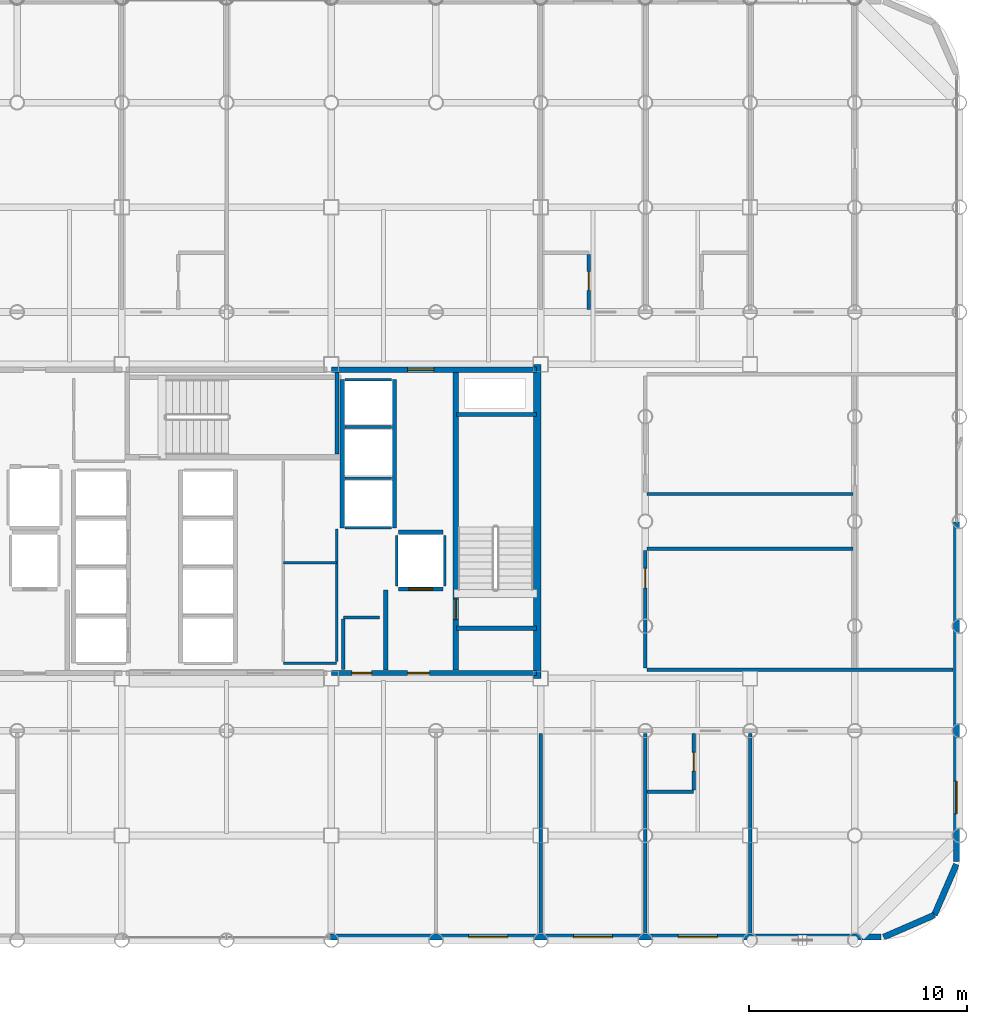
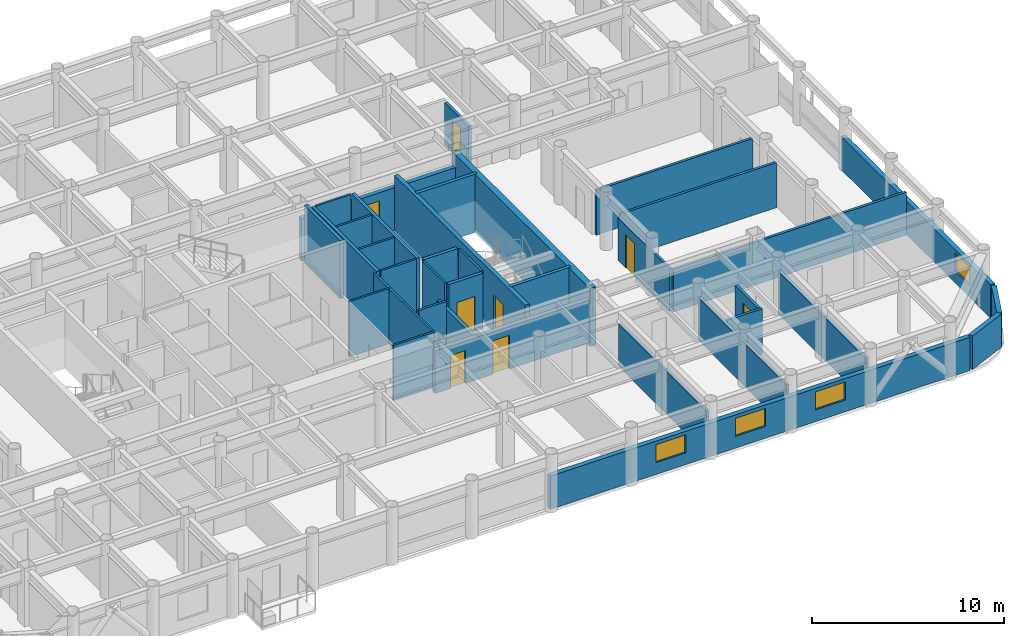
# One storey, part 19 of 22: 37 walls, 8 doors, 4 windows, 12 openings.
"""IFC4 building model written with IfcOpenShell, lengths in metres."""

from ifc_helpers import new_model, si_unit, direction, frame, frame_2d, origin, place, context, subcontext, project, spatial, rectangle, extrude, material, layer, layer_set, type_object, element, fill, save


model = new_model("IFC4")

# Units and contexts
model_context = context("Model", 3, precision=1e-05, world=origin(), true_north=direction((0.0, 1.0)))
body_context = subcontext(model_context, "Body", "Model", "MODEL_VIEW")
ifc_project = project(units=[si_unit("LENGTHUNIT", "METRE"), si_unit("AREAUNIT", "SQUARE_METRE"), si_unit("VOLUMEUNIT", "CUBIC_METRE"), si_unit("PLANEANGLEUNIT", "RADIAN"), si_unit("MASSUNIT", "GRAM", prefix="KILO")], contexts=[model_context])

# Site, building, storey
site_placement = place(None, origin())
site = spatial("IfcSite", under=ifc_project, at=site_placement, CompositionType="ELEMENT")
building_placement = place(site_placement, origin())
building = spatial("IfcBuilding", under=site, at=building_placement, Name="Kallvorn Hotel Tower", CompositionType="ELEMENT")
storey_placement = place(building_placement, frame((0.0, 0.0, 102.60009765625)))
storey = spatial("IfcBuildingStorey", under=building, at=storey_placement, Name="L24", CompositionType="ELEMENT", Elevation=102.60009765625)

# Walls
ifc_material_1 = material(Name="Concrete C50/60", Category="concrete")
ifc_layer_1 = layer(ifc_material_1, 0.35009765625)
ifc_layer_set_1 = layer_set([ifc_layer_1], Name="WL_CORE_350")
wall_type_1 = type_object("IfcWallType", Name="WL_CORE_350", PredefinedType="SHEAR", material=ifc_layer_set_1)
wall_1_placement = place(storey_placement, frame((14.239990234375, -7.199951171875, -0.18017578125), z_axis=(0.0, 0.0, 1.0), x_axis=(0.0, 1.0, 0.0)))
element("IfcWall", 1, at=wall_1_placement, inside=storey, type_object=wall_type_1, Name="L24 Core East Shear Wall", PredefinedType="SHEAR", context=body_context, shape_type="SweptSolid", body=[
    extrude(rectangle(XDim=14.39990234375, YDim=0.35009765625, at=frame_2d((7.199951171875, 0.0))), origin(), (0.0, 0.0, 1.0), 3.7001953125),
])
ifc_material_2 = material(Name="Fire-rated double-layer acoustic gypsum drywall EI 60")
ifc_layer_2 = layer(ifc_material_2, 0.159912109375)
ifc_layer_set_2 = layer_set([ifc_layer_2], Name="WL_DEMISE_160")
wall_type_2 = type_object("IfcWallType", Name="WL_DEMISE_160", PredefinedType="PARTITIONING", material=ifc_layer_set_2)
wall_2_placement = place(storey_placement, frame((19.280029296875, -12.39501953125, 0.0), z_axis=(0.0, 0.0, 1.0), x_axis=(1.0, 0.0, 0.0)))
element("IfcWall", 2, at=wall_2_placement, inside=storey, type_object=wall_type_2, Name="L24 Suite 2404 Deluxe King Room Partition", PredefinedType="PARTITIONING", context=body_context, shape_type="SweptSolid", body=[
    extrude(rectangle(XDim=2.1298828125, YDim=0.159912109375, at=frame_2d((1.06494140625, 0.0))), origin(), (0.0, 0.0, 1.0), 2.869873046875),
])

# Wall, opening, door
wall_3_placement = place(storey_placement, frame((16.610107421875, 9.719970703125, 0.0), z_axis=(0.0, 0.0, 1.0), x_axis=(0.0, 1.0, 0.0)))
wall_3 = element("IfcWall", 3, at=wall_3_placement, inside=storey, type_object=wall_type_2, Name="L24 Suite 2406 Standard King Room Partition", PredefinedType="PARTITIONING", context=body_context, shape_type="SweptSolid", body=[
    extrude(rectangle(XDim=2.51513671875, YDim=0.159912109375, at=frame_2d((1.257568359375, 0.0))), origin(), (0.0, 0.0, 1.0), 2.719970703125),
])
opening_1_placement = place(wall_3_placement, frame((0.8701171875, 0.0, 0.0)))
opening_1 = element("IfcOpeningElement", 4, at=opening_1_placement, cuts=wall_3, Name="Opening BD-I", PredefinedType="OPENING", context=body_context, shape_type="SweptSolid", body=[
    extrude(rectangle(XDim=0.860107421875, YDim=2.10009765625, at=frame_2d((0.43017578125, 1.050048828125))), frame((0.0, 0.094970703125, 0.0), z_axis=(0.0, -1.0, 0.0), x_axis=(1.0, 0.0, 0.0)), (0.0, 0.0, 1.0), 0.18994140625),
])
ifc_material_3 = material(Name="Solid-core walnut veneer fire-rated timber door leaf", Category="wood")
door_type_1 = type_object("IfcDoorType", Name="DR_BATH_860x2100", OperationType="NOTDEFINED", PredefinedType="DOOR", material=ifc_material_3)
door_1_placement = place(opening_1_placement, origin())
door_1 = element("IfcDoor", 5, at=door_1_placement, inside=storey, type_object=door_type_1, Name="L24 Suite 2406 En-Suite Bathroom Door", OperationType="SINGLE_SWING_RIGHT", OverallHeight=2.10009765625, OverallWidth=0.860107421875, PredefinedType="DOOR", context=body_context, shape_type="SweptSolid", body=[
    extrude(rectangle(XDim=0.860107421875, YDim=2.10009765625, at=frame_2d((0.43017578125, 1.050048828125))), frame((0.0, 0.02490234375, 0.0), z_axis=(0.0, -1.0, 0.0), x_axis=(1.0, 0.0, 0.0)), (0.0, 0.0, 1.0), 0.050048828125),
])
fill(opening_1, door_1)

# Wall
wall_4_placement = place(storey_placement, frame((19.199951171875, -18.909912109375, 0.0), z_axis=(0.0, 0.0, 1.0), x_axis=(0.0, 1.0, 0.0)))
element("IfcWall", 6, at=wall_4_placement, inside=storey, type_object=wall_type_2, Name="L24 Suite 2404 Deluxe King Room Partition", PredefinedType="PARTITIONING", context=body_context, shape_type="SweptSolid", body=[
    extrude(rectangle(XDim=9.18994140625, YDim=0.159912109375, at=frame_2d((4.594970703125, 0.0))), origin(), (0.0, 0.0, 1.0), 2.719970703125),
])

# Wall, opening, door
wall_5_placement = place(storey_placement, frame((21.409912109375, -12.31005859375, 0.0), z_axis=(0.0, 0.0, 1.0), x_axis=(0.0, 1.0, 0.0)))
wall_5 = element("IfcWall", 7, at=wall_5_placement, inside=storey, type_object=wall_type_2, Name="L24 Suite 2404 Deluxe King Room Partition", PredefinedType="PARTITIONING", context=body_context, shape_type="SweptSolid", body=[
    extrude(rectangle(XDim=2.590087890625, YDim=0.159912109375, at=frame_2d((1.294921875, 0.0))), origin(), (0.0, 0.0, 1.0), 2.719970703125),
])
opening_2_placement = place(wall_5_placement, frame((0.860107421875, 0.0, 0.0)))
opening_2 = element("IfcOpeningElement", 8, at=opening_2_placement, cuts=wall_5, Name="Opening BD-I", PredefinedType="OPENING", context=body_context, shape_type="SweptSolid", body=[
    extrude(rectangle(XDim=0.860107421875, YDim=2.10009765625, at=frame_2d((0.43017578125, 1.050048828125))), frame((0.0, 0.094970703125, 0.0), z_axis=(0.0, -1.0, 0.0), x_axis=(1.0, 0.0, 0.0)), (0.0, 0.0, 1.0), 0.18994140625),
])
door_2_placement = place(opening_2_placement, origin())
door_2 = element("IfcDoor", 9, at=door_2_placement, inside=storey, type_object=door_type_1, Name="L24 Suite 2404 En-Suite Bathroom Door", OperationType="SINGLE_SWING_LEFT", OverallHeight=2.10009765625, OverallWidth=0.860107421875, PredefinedType="DOOR", context=body_context, shape_type="SweptSolid", body=[
    extrude(rectangle(XDim=0.860107421875, YDim=2.10009765625, at=frame_2d((0.43017578125, 1.050048828125))), frame((0.0, 0.02490234375, 0.0), z_axis=(0.0, -1.0, 0.0), x_axis=(1.0, 0.0, 0.0)), (0.0, 0.0, 1.0), 0.050048828125),
])
fill(opening_2, door_2)

# Walls
wall_6_placement = place(storey_placement, frame((24.0, -18.909912109375, 0.0), z_axis=(0.0, 0.0, 1.0), x_axis=(0.0, 1.0, 0.0)))
element("IfcWall", 10, at=wall_6_placement, inside=storey, type_object=wall_type_2, Name="L24 Suite 2404 Deluxe King Room Partition", PredefinedType="PARTITIONING", context=body_context, shape_type="SweptSolid", body=[
    extrude(rectangle(XDim=9.18994140625, YDim=0.159912109375, at=frame_2d((4.594970703125, 0.0))), origin(), (0.0, 0.0, 1.0), 2.719970703125),
])
ifc_material_4 = material(Name="Precast basalt-clad insulated concrete wall C40/50", Category="masonry")
ifc_layer_3 = layer(ifc_material_4, 0.280029296875)
ifc_layer_set_3 = layer_set([ifc_layer_3], Name="WL_EXT_LOGGIA_280")
wall_type_3 = type_object("IfcWallType", Name="WL_EXT_LOGGIA_280", PredefinedType="SOLIDWALL", material=ifc_layer_set_3)
wall_7_placement = place(storey_placement, frame((30.120849609375, -19.057861328125, 0.0), z_axis=(0.0, 0.0, 1.0), x_axis=(0.917060872934, 0.398747232384, 0.0)))
element("IfcWall", 11, at=wall_7_placement, inside=storey, type_object=wall_type_3, Name="L24 Rounded Corner Exterior Wall SE1", PredefinedType="SOLIDWALL", context=body_context, shape_type="SweptSolid", body=[
    extrude(rectangle(XDim=2.5361328125, YDim=0.280029296875, at=frame_2d((1.26806640625, 0.0))), origin(), (0.0, 0.0, 1.0), 2.119873046875),
])
wall_8_placement = place(storey_placement, frame((32.446533203125, -18.046630859375, 0.0), z_axis=(0.0, 0.0, 1.0), x_axis=(0.398792985289, 0.917040977756, 0.0)))
element("IfcWall", 12, at=wall_8_placement, inside=storey, type_object=wall_type_3, Name="L24 Rounded Corner Exterior Wall SE2", PredefinedType="SOLIDWALL", context=body_context, shape_type="SweptSolid", body=[
    extrude(rectangle(XDim=2.536376953125, YDim=0.280029296875, at=frame_2d((1.26806640625, 0.0))), origin(), (0.0, 0.0, 1.0), 2.119873046875),
])

# Wall, openings, windows
wall_9_placement = place(storey_placement, frame((4.75, -19.06005859375, 0.0), z_axis=(0.0, 0.0, 1.0), x_axis=(1.0, 0.0, 0.0)))
wall_9 = element("IfcWall", 13, at=wall_9_placement, inside=storey, type_object=wall_type_3, Name="L24 Exterior Envelope Wall EW-L24-SE", PredefinedType="SOLIDWALL", context=body_context, shape_type="SweptSolid", body=[
    extrude(rectangle(XDim=25.25, YDim=0.280029296875, at=frame_2d((12.625, 0.0))), origin(), (0.0, 0.0, 1.0), 2.119873046875),
])
opening_3_placement = place(wall_9_placement, frame((6.35009765625, 0.0, 0.75)))
opening_3 = element("IfcOpeningElement", 14, at=opening_3_placement, cuts=wall_9, Name="Opening W04A", PredefinedType="OPENING", context=body_context, shape_type="SweptSolid", body=[
    extrude(rectangle(XDim=1.800048828125, YDim=1.14990234375, at=frame_2d((0.89990234375, 0.574951171875))), frame((0.0, 0.155029296875, 0.0), z_axis=(0.0, -1.0, 0.0), x_axis=(1.0, 0.0, 0.0)), (0.0, 0.0, 1.0), 0.31005859375),
])
opening_4_placement = place(wall_9_placement, frame((11.14990234375, 0.0, 0.75)))
opening_4 = element("IfcOpeningElement", 15, at=opening_4_placement, cuts=wall_9, Name="Opening W04A", PredefinedType="OPENING", context=body_context, shape_type="SweptSolid", body=[
    extrude(rectangle(XDim=1.800048828125, YDim=1.14990234375, at=frame_2d((0.89990234375, 0.574951171875))), frame((0.0, 0.155029296875, 0.0), z_axis=(0.0, -1.0, 0.0), x_axis=(1.0, 0.0, 0.0)), (0.0, 0.0, 1.0), 0.31005859375),
])
opening_5_placement = place(wall_9_placement, frame((15.949951171875, 0.0, 0.75)))
opening_5 = element("IfcOpeningElement", 16, at=opening_5_placement, cuts=wall_9, Name="Opening W04A", PredefinedType="OPENING", context=body_context, shape_type="SweptSolid", body=[
    extrude(rectangle(XDim=1.800048828125, YDim=1.14990234375, at=frame_2d((0.89990234375, 0.574951171875))), frame((0.0, 0.155029296875, 0.0), z_axis=(0.0, -1.0, 0.0), x_axis=(1.0, 0.0, 0.0)), (0.0, 0.0, 1.0), 0.31005859375),
])
ifc_material_5 = material(Name="Double-glazed low-e solar-control dark glass", Category="glass")
window_type_1 = type_object("IfcWindowType", Name="WN_HTL_1800x1150", PartitioningType="SINGLE_PANEL", PredefinedType="WINDOW", material=ifc_material_5)
window_1_placement = place(opening_3_placement, origin())
window_1 = element("IfcWindow", 17, at=window_1_placement, inside=storey, type_object=window_type_1, Name="L24 Guestroom Exterior Window 05", OverallHeight=1.14990234375, OverallWidth=1.800048828125, PartitioningType="SINGLE_PANEL", PredefinedType="WINDOW", context=body_context, shape_type="SweptSolid", body=[
    extrude(rectangle(XDim=1.800048828125, YDim=1.14990234375, at=frame_2d((0.89990234375, 0.574951171875))), frame((0.0, 0.030029296875, 0.0), z_axis=(0.0, -1.0, 0.0), x_axis=(1.0, 0.0, 0.0)), (0.0, 0.0, 1.0), 0.06005859375),
])
fill(opening_3, window_1)
window_2_placement = place(opening_4_placement, origin())
window_2 = element("IfcWindow", 18, at=window_2_placement, inside=storey, type_object=window_type_1, Name="L24 Guestroom Exterior Window 06", OverallHeight=1.14990234375, OverallWidth=1.800048828125, PartitioningType="SINGLE_PANEL", PredefinedType="WINDOW", context=body_context, shape_type="SweptSolid", body=[
    extrude(rectangle(XDim=1.800048828125, YDim=1.14990234375, at=frame_2d((0.89990234375, 0.574951171875))), frame((0.0, 0.030029296875, 0.0), z_axis=(0.0, -1.0, 0.0), x_axis=(1.0, 0.0, 0.0)), (0.0, 0.0, 1.0), 0.06005859375),
])
fill(opening_4, window_2)
window_3_placement = place(opening_5_placement, origin())
window_3 = element("IfcWindow", 19, at=window_3_placement, inside=storey, type_object=window_type_1, Name="L24 Guestroom Exterior Window 07", OverallHeight=1.14990234375, OverallWidth=1.800048828125, PartitioningType="SINGLE_PANEL", PredefinedType="WINDOW", context=body_context, shape_type="SweptSolid", body=[
    extrude(rectangle(XDim=1.800048828125, YDim=1.14990234375, at=frame_2d((0.89990234375, 0.574951171875))), frame((0.0, 0.030029296875, 0.0), z_axis=(0.0, -1.0, 0.0), x_axis=(1.0, 0.0, 0.0)), (0.0, 0.0, 1.0), 0.06005859375),
])
fill(opening_5, window_3)

# Wall, opening, window
wall_10_placement = place(storey_placement, frame((33.4599609375, -15.60009765625, 0.0), z_axis=(0.0, 0.0, 1.0), x_axis=(0.0, 1.0, 0.0)))
wall_10 = element("IfcWall", 20, at=wall_10_placement, inside=storey, type_object=wall_type_3, Name="L24 Exterior Envelope Wall EW-L24-ES", PredefinedType="SOLIDWALL", context=body_context, shape_type="SweptSolid", body=[
    extrude(rectangle(XDim=15.580078125, YDim=0.280029296875, at=frame_2d((7.7900390625, 0.0))), origin(), (0.0, 0.0, 1.0), 2.119873046875),
])
opening_6_placement = place(wall_10_placement, frame((2.18994140625, 0.0, 0.75)))
opening_6 = element("IfcOpeningElement", 21, at=opening_6_placement, cuts=wall_10, Name="Opening W05A", PredefinedType="OPENING", context=body_context, shape_type="SweptSolid", body=[
    extrude(rectangle(XDim=1.5, YDim=1.14990234375, at=frame_2d((0.75, 0.574951171875))), frame((0.0, 0.155029296875, 0.0), z_axis=(0.0, -1.0, 0.0), x_axis=(1.0, 0.0, 0.0)), (0.0, 0.0, 1.0), 0.31005859375),
])
ifc_material_6 = material(Name="Double-glazed low-e solar-control dark glass", Category="glass")
window_type_2 = type_object("IfcWindowType", Name="WN_HTL_1500x1150", PartitioningType="SINGLE_PANEL", PredefinedType="WINDOW", material=ifc_material_6)
window_4_placement = place(opening_6_placement, origin())
window_4 = element("IfcWindow", 22, at=window_4_placement, inside=storey, type_object=window_type_2, Name="L24 Flank Wing Window 02", OverallHeight=1.14990234375, OverallWidth=1.5, PartitioningType="SINGLE_PANEL", PredefinedType="WINDOW", context=body_context, shape_type="SweptSolid", body=[
    extrude(rectangle(XDim=1.5, YDim=1.14990234375, at=frame_2d((0.75, 0.574951171875))), frame((0.0, 0.030029296875, 0.0), z_axis=(0.0, -1.0, 0.0), x_axis=(1.0, 0.0, 0.0)), (0.0, 0.0, 1.0), 0.06005859375),
])
fill(opening_6, window_4)

# Walls
ifc_material_7 = material(Name="Concrete C40/50", Category="concrete")
ifc_layer_4 = layer(ifc_material_7, 0.219970703125)
ifc_layer_set_4 = layer_set([ifc_layer_4], Name="WL_FFL_220")
wall_type_4 = type_object("IfcWallType", Name="WL_FFL_220", PredefinedType="SOLIDWALL", material=ifc_layer_set_4)
wall_11_placement = place(storey_placement, frame((7.300048828125, -6.820068359375, 0.0), z_axis=(0.0, 0.0, 1.0), x_axis=(0.0, 1.0, 0.0)))
element("IfcWall", 23, at=wall_11_placement, inside=storey, type_object=wall_type_4, Name="L24 Firefighting Lobby East Divider Wall", PredefinedType="SOLIDWALL", context=body_context, shape_type="SweptSolid", body=[
    extrude(rectangle(XDim=3.670166015625, YDim=0.219970703125, at=frame_2d((1.8349609375, 0.0))), origin(), (0.0, 0.0, 1.0), 2.719970703125),
])
ifc_material_8 = material(Name="Concrete C40/50", Category="concrete")
ifc_layer_5 = layer(ifc_material_8, 0.199951171875)
ifc_layer_set_5 = layer_set([ifc_layer_5], Name="WL_HOIST_200")
wall_type_5 = type_object("IfcWallType", Name="WL_HOIST_200", PredefinedType="SOLIDWALL", material=ifc_layer_set_5)
for number, where, z_axis, x_axis, name in (
    (24, (10.550048828125, -4.89990234375, -0.18017578125), (0.0, 0.0, 1.0), (1.0, 0.0, 0.0), "L24 Stair ST2 South Wall"),
    (25, (10.550048828125, 4.89990234375, -0.18017578125), (0.0, 0.0, 1.0), (1.0, 0.0, 0.0), "L24 Stair ST2 North Wall"),
):
    element("IfcWall", number, at=place(storey_placement, frame(where, z_axis=z_axis, x_axis=x_axis)), inside=storey, type_object=wall_type_5, Name=name, PredefinedType="SOLIDWALL", context=body_context, shape_type="SweptSolid", body=[
        extrude(rectangle(XDim=3.64990234375, YDim=0.199951171875, at=frame_2d((1.824951171875, 0.0))), origin(), (0.0, 0.0, 1.0), 3.7001953125),
    ])
wall_12_placement = place(storey_placement, frame((5.06005859375, 3.080078125, -0.18017578125), z_axis=(0.0, 0.0, 1.0), x_axis=(0.0, 1.0, 0.0)))
element("IfcWall", 26, at=wall_12_placement, inside=storey, type_object=wall_type_5, Name="L24 Stair ST3 East Wall", PredefinedType="SOLIDWALL", context=body_context, shape_type="SweptSolid", body=[
    extrude(rectangle(XDim=3.739990234375, YDim=0.199951171875, at=frame_2d((1.8701171875, 0.0))), origin(), (0.0, 0.0, 1.0), 3.7001953125),
])
for number, where, z_axis, x_axis, name in (
    (27, (7.699951171875, -0.300048828125, 0.0), (0.0, 0.0, 1.0), (0.0, 1.0, 0.0), "L24 Lift Bank OBS Landing Wall"),
    (28, (5.300048828125, -0.300048828125, 0.0), (0.0, 0.0, 1.0), (0.0, 1.0, 0.0), "L24 Lift Bank OBS Rear Shaft Wall"),
):
    element("IfcWall", number, at=place(storey_placement, frame(where, z_axis=z_axis, x_axis=x_axis)), inside=storey, type_object=wall_type_5, Name=name, PredefinedType="SOLIDWALL", context=body_context, shape_type="SweptSolid", body=[
        extrude(rectangle(XDim=6.800048828125, YDim=0.199951171875, at=frame_2d((3.39990234375, 0.0))), origin(), (0.0, 0.0, 1.0), 3.52001953125),
    ])

# Wall, opening, door
wall_13_placement = place(storey_placement, frame((7.8798828125, -3.10009765625, 0.0), z_axis=(0.0, 0.0, 1.0), x_axis=(1.0, 0.0, 0.0)))
wall_13 = element("IfcWall", 29, at=wall_13_placement, inside=storey, type_object=wall_type_5, Name="L24 FL-2 Landing Wall", PredefinedType="SOLIDWALL", context=body_context, shape_type="SweptSolid", body=[
    extrude(rectangle(XDim=2.0400390625, YDim=0.199951171875, at=frame_2d((1.02001953125, 0.0))), origin(), (0.0, 0.0, 1.0), 3.52001953125),
])
opening_7_placement = place(wall_13_placement, frame((0.469970703125, 0.0, 0.0)))
opening_7 = element("IfcOpeningElement", 30, at=opening_7_placement, cuts=wall_13, Name="Opening LD-FL-2", PredefinedType="OPENING", context=body_context, shape_type="SweptSolid", body=[
    extrude(rectangle(XDim=1.10009765625, YDim=2.199951171875, at=frame_2d((0.550048828125, 1.10009765625))), frame((0.0, 0.114990234375, 0.0), z_axis=(0.0, -1.0, 0.0), x_axis=(1.0, 0.0, 0.0)), (0.0, 0.0, 1.0), 0.22998046875),
])
ifc_material_9 = material(Name="Brushed stainless-steel automatic sliding lift landing door", Category="steel")
door_type_2 = type_object("IfcDoorType", Name="LD_PASS_1100x2200", OperationType="SLIDING_TO_LEFT", PredefinedType="DOOR", material=ifc_material_9)
door_3_placement = place(opening_7_placement, origin())
door_3 = element("IfcDoor", 31, at=door_3_placement, inside=storey, type_object=door_type_2, Name="L24 Lift Landing Sliding Door LD-FL-2", OperationType="SLIDING_TO_LEFT", OverallHeight=2.199951171875, OverallWidth=1.10009765625, PredefinedType="DOOR", context=body_context, shape_type="SweptSolid", body=[
    extrude(rectangle(XDim=1.10009765625, YDim=2.199951171875, at=frame_2d((0.550048828125, 1.10009765625))), frame((0.0, 0.02490234375, 0.0), z_axis=(0.0, -1.0, 0.0), x_axis=(1.0, 0.0, 0.0)), (0.0, 0.0, 1.0), 0.050048828125),
])
fill(opening_7, door_3)

# Walls
wall_14_placement = place(storey_placement, frame((7.8798828125, -0.5, 0.0), z_axis=(0.0, 0.0, 1.0), x_axis=(1.0, 0.0, 0.0)))
element("IfcWall", 32, at=wall_14_placement, inside=storey, type_object=wall_type_5, Name="L24 FL-2 Rear Shaft Wall", PredefinedType="SOLIDWALL", context=body_context, shape_type="SweptSolid", body=[
    extrude(rectangle(XDim=2.0400390625, YDim=0.199951171875, at=frame_2d((1.02001953125, 0.0))), origin(), (0.0, 0.0, 1.0), 3.52001953125),
])
ifc_material_10 = material(Name="Fire-rated double-layer acoustic gypsum drywall EI 60")
ifc_layer_6 = layer(ifc_material_10, 0.1201171875)
ifc_layer_set_6 = layer_set([ifc_layer_6], Name="WL_INT_120")
wall_type_6 = type_object("IfcWallType", Name="WL_INT_120", PredefinedType="PARTITIONING", material=ifc_layer_set_6)
for number, where, z_axis, x_axis, name in (
    (33, (5.43994140625, -0.300048828125, 0.0), (0.0, 0.0, 1.0), (1.0, 0.0, 0.0), "L24 Lift Bank OBS South Closure Wall"),
    (34, (5.43994140625, 1.97509765625, 0.0), (0.0, 0.0, 1.0), (1.0, 0.0, 0.0), "L24 OB-01 Hoistway Divider"),
    (35, (5.43994140625, 4.324951171875, 0.0), (0.0, 0.0, 1.0), (1.0, 0.0, 0.0), "L24 OB-02 Hoistway Divider"),
    (36, (5.43994140625, 6.5, 0.0), (0.0, 0.0, 1.0), (1.0, 0.0, 0.0), "L24 OB-03 Hoistway Divider"),
):
    element("IfcWall", number, at=place(storey_placement, frame(where, z_axis=z_axis, x_axis=x_axis)), inside=storey, type_object=wall_type_6, Name=name, PredefinedType="PARTITIONING", context=body_context, shape_type="SweptSolid", body=[
        extrude(rectangle(XDim=2.1201171875, YDim=0.1201171875, at=frame_2d((1.06005859375, 0.0))), origin(), (0.0, 0.0, 1.0), 3.52001953125),
    ])
for number, where, z_axis, x_axis, name in (
    (37, (7.800048828125, -2.9599609375, 0.0), (0.0, 0.0, 1.0), (0.0, 1.0, 0.0), "L24 FL-2 West Shaft Wall"),
    (38, (10.0, -2.9599609375, 0.0), (0.0, 0.0, 1.0), (0.0, 1.0, 0.0), "L24 FL-2 East Shaft Wall"),
):
    element("IfcWall", number, at=place(storey_placement, frame(where, z_axis=z_axis, x_axis=x_axis)), inside=storey, type_object=wall_type_6, Name=name, PredefinedType="PARTITIONING", context=body_context, shape_type="SweptSolid", body=[
        extrude(rectangle(XDim=2.320068359375, YDim=0.1201171875, at=frame_2d((1.16015625, 0.0))), origin(), (0.0, 0.0, 1.0), 3.52001953125),
    ])
for number, where, z_axis, x_axis, name in (
    (39, (2.60009765625, -6.5, 0.0), (0.0, 0.0, 1.0), (1.0, 0.0, 0.0), "L24 East Core Amenities and Minibar Store Partition"),
    (40, (2.60009765625, -1.89990234375, 0.0), (0.0, 0.0, 1.0), (1.0, 0.0, 0.0), "L24 East Core Amenities and Minibar Store Partition"),
):
    element("IfcWall", number, at=place(storey_placement, frame(where, z_axis=z_axis, x_axis=x_axis)), inside=storey, type_object=wall_type_6, Name=name, PredefinedType="PARTITIONING", context=body_context, shape_type="SweptSolid", body=[
        extrude(rectangle(XDim=2.449951171875, YDim=0.1201171875, at=frame_2d((1.22509765625, 0.0))), origin(), (0.0, 0.0, 1.0), 3.52001953125),
    ])
wall_15_placement = place(storey_placement, frame((5.050048828125, -6.4150390625, 0.0), z_axis=(0.0, 0.0, 1.0), x_axis=(0.0, 1.0, 0.0)))
element("IfcWall", 41, at=wall_15_placement, inside=storey, type_object=wall_type_6, Name="L24 East Core Amenities and Minibar Store Partition", PredefinedType="PARTITIONING", context=body_context, shape_type="SweptSolid", body=[
    extrude(rectangle(XDim=6.074951171875, YDim=0.1201171875, at=frame_2d((3.03759765625, 0.0))), origin(), (0.0, 0.0, 1.0), 3.52001953125),
])
ifc_material_11 = material(Name="Fire-rated double-layer acoustic gypsum drywall EI 60")
ifc_layer_7 = layer(ifc_material_11, 0.14990234375)
ifc_layer_set_7 = layer_set([ifc_layer_7], Name="WL_PART_150")
wall_type_7 = type_object("IfcWallType", Name="WL_PART_150", PredefinedType="PARTITIONING", material=ifc_layer_set_7)
wall_16_placement = place(storey_placement, frame((19.280029296875, -6.800048828125, 0.0), z_axis=(0.0, 0.0, 1.0), x_axis=(1.0, 0.0, 0.0)))
element("IfcWall", 42, at=wall_16_placement, inside=storey, type_object=wall_type_7, Name="L24 L24 East Inner Club Bar Partition", PredefinedType="PARTITIONING", context=body_context, shape_type="SweptSolid", body=[
    extrude(rectangle(XDim=14.030029296875, YDim=0.14990234375, at=frame_2d((7.01513671875, 0.0))), origin(), (0.0, 0.0, 1.0), 2.719970703125),
])
for number, where, z_axis, x_axis, name in (
    (43, (19.280029296875, -1.260009765625, 0.0), (0.0, 0.0, 1.0), (1.0, 0.0, 0.0), "L24 L24 East Inner Club Bar Partition"),
    (44, (19.280029296875, 1.260009765625, 0.0), (0.0, 0.0, 1.0), (1.0, 0.0, 0.0), "L24 L24 East Inner Screening Salon Partition"),
):
    element("IfcWall", number, at=place(storey_placement, frame(where, z_axis=z_axis, x_axis=x_axis)), inside=storey, type_object=wall_type_7, Name=name, PredefinedType="PARTITIONING", context=body_context, shape_type="SweptSolid", body=[
        extrude(rectangle(XDim=9.43994140625, YDim=0.14990234375, at=frame_2d((4.719970703125, 0.0))), origin(), (0.0, 0.0, 1.0), 2.869873046875),
    ])
wall_17_placement = place(storey_placement, frame((14.39990234375, -18.909912109375, 0.0), z_axis=(0.0, 0.0, 1.0), x_axis=(0.0, 1.0, 0.0)))
element("IfcWall", 45, at=wall_17_placement, inside=storey, type_object=wall_type_7, Name="L24 L24 Restaurant Culinary Catering Kitchen 3-1 Partition", PredefinedType="PARTITIONING", context=body_context, shape_type="SweptSolid", body=[
    extrude(rectangle(XDim=9.18994140625, YDim=0.14990234375, at=frame_2d((4.594970703125, 0.0))), origin(), (0.0, 0.0, 1.0), 2.719970703125),
])

# Wall, opening, door
wall_18_placement = place(storey_placement, frame((19.199951171875, -6.715087890625, 0.0), z_axis=(0.0, 0.0, 1.0), x_axis=(0.0, 1.0, 0.0)))
wall_18 = element("IfcWall", 46, at=wall_18_placement, inside=storey, type_object=wall_type_7, Name="L24 L24 East Inner Club Bar Partition", PredefinedType="PARTITIONING", context=body_context, shape_type="SweptSolid", body=[
    extrude(rectangle(XDim=5.3701171875, YDim=0.14990234375, at=frame_2d((2.68505859375, 0.0))), origin(), (0.0, 0.0, 1.0), 2.719970703125),
])
opening_8_placement = place(wall_18_placement, frame((3.66015625, 0.0, 0.0)))
opening_8 = element("IfcOpeningElement", 47, at=opening_8_placement, cuts=wall_18, Name="Opening SVD1", PredefinedType="OPENING", context=body_context, shape_type="SweptSolid", body=[
    extrude(rectangle(XDim=0.89990234375, YDim=2.10009765625, at=frame_2d((0.449951171875, 1.050048828125))), frame((0.0, 0.08984375, 0.0), z_axis=(0.0, -1.0, 0.0), x_axis=(1.0, 0.0, 0.0)), (0.0, 0.0, 1.0), 0.179931640625),
])
ifc_material_12 = material(Name="Galvanised painted steel fire-rated door assembly", Category="steel")
door_type_3 = type_object("IfcDoorType", Name="DR_SERV_900x2100", OperationType="NOTDEFINED", PredefinedType="DOOR", material=ifc_material_12)
door_4_placement = place(opening_8_placement, origin())
door_4 = element("IfcDoor", 48, at=door_4_placement, inside=storey, type_object=door_type_3, Name="L24 L24 East Inner Club Bar Door", OperationType="SINGLE_SWING_LEFT", OverallHeight=2.10009765625, OverallWidth=0.89990234375, PredefinedType="DOOR", context=body_context, shape_type="SweptSolid", body=[
    extrude(rectangle(XDim=0.89990234375, YDim=2.10009765625, at=frame_2d((0.449951171875, 1.050048828125))), frame((0.0, 0.02490234375, 0.0), z_axis=(0.0, -1.0, 0.0), x_axis=(1.0, 0.0, 0.0)), (0.0, 0.0, 1.0), 0.050048828125),
])
fill(opening_8, door_4)

# Walls
ifc_material_13 = material(Name="Moisture-resistant acoustic plumbing chase wall EI 60")
ifc_layer_8 = layer(ifc_material_13, 0.139892578125)
ifc_layer_set_8 = layer_set([ifc_layer_8], Name="WL_PLUMB_140")
wall_type_8 = type_object("IfcWallType", Name="WL_PLUMB_140", PredefinedType="PLUMBINGWALL", material=ifc_layer_set_8)
wall_19_placement = place(storey_placement, frame((5.35009765625, -4.39990234375, 0.0), z_axis=(0.0, 0.0, 1.0), x_axis=(1.0, 0.0, 0.0)))
element("IfcWall", 49, at=wall_19_placement, inside=storey, type_object=wall_type_8, Name="L24 Core Staff Restroom WC Partition", PredefinedType="PLUMBINGWALL", context=body_context, shape_type="SweptSolid", body=[
    extrude(rectangle(XDim=1.64990234375, YDim=0.139892578125, at=frame_2d((0.824951171875, 0.0))), origin(), (0.0, 0.0, 1.0), 3.52001953125),
])
wall_20_placement = place(storey_placement, frame((5.35009765625, -6.800048828125, 0.0), z_axis=(0.0, 0.0, 1.0), x_axis=(0.0, 1.0, 0.0)))
element("IfcWall", 50, at=wall_20_placement, inside=storey, type_object=wall_type_8, Name="L24 Core Staff Restroom WC Partition", PredefinedType="PLUMBINGWALL", context=body_context, shape_type="SweptSolid", body=[
    extrude(rectangle(XDim=2.31494140625, YDim=0.139892578125, at=frame_2d((1.157470703125, 0.0))), origin(), (0.0, 0.0, 1.0), 2.719970703125),
])

# Wall, openings, doors
ifc_material_14 = material(Name="Concrete C40/50", Category="concrete")
ifc_layer_9 = layer(ifc_material_14, 0.25)
ifc_layer_set_9 = layer_set([ifc_layer_9], Name="WL_SHAFT_250")
wall_type_9 = type_object("IfcWallType", Name="WL_SHAFT_250", PredefinedType="SOLIDWALL", material=ifc_layer_set_9)
wall_21_placement = place(storey_placement, frame((4.800048828125, -6.949951171875, 0.0), z_axis=(0.0, 0.0, 1.0), x_axis=(1.0, 0.0, 0.0)))
wall_21 = element("IfcWall", 51, at=wall_21_placement, inside=storey, type_object=wall_type_9, Name="L24 Core South-East Wall", PredefinedType="SOLIDWALL", context=body_context, shape_type="SweptSolid", body=[
    extrude(rectangle(XDim=9.39990234375, YDim=0.25, at=frame_2d((4.699951171875, 0.0))), origin(), (0.0, 0.0, 1.0), 2.719970703125),
])
opening_9_placement = place(wall_21_placement, frame((3.5, 0.0, 0.0)))
opening_9 = element("IfcOpeningElement", 52, at=opening_9_placement, cuts=wall_21, Name="Opening FD1", PredefinedType="OPENING", context=body_context, shape_type="SweptSolid", body=[
    extrude(rectangle(XDim=1.0, YDim=2.14990234375, at=frame_2d((0.5, 1.074951171875))), frame((0.0, 0.139892578125, 0.0), z_axis=(0.0, -1.0, 0.0), x_axis=(1.0, 0.0, 0.0)), (0.0, 0.0, 1.0), 0.280029296875),
])
opening_10_placement = place(wall_21_placement, frame((0.949951171875, 0.0, 0.0)))
opening_10 = element("IfcOpeningElement", 53, at=opening_10_placement, cuts=wall_21, Name="Opening SVD1", PredefinedType="OPENING", context=body_context, shape_type="SweptSolid", body=[
    extrude(rectangle(XDim=0.89990234375, YDim=2.10009765625, at=frame_2d((0.449951171875, 1.050048828125))), frame((0.0, 0.139892578125, 0.0), z_axis=(0.0, -1.0, 0.0), x_axis=(1.0, 0.0, 0.0)), (0.0, 0.0, 1.0), 0.280029296875),
])
ifc_material_15 = material(Name="Galvanised painted steel fire-rated door assembly", Category="steel")
door_type_4 = type_object("IfcDoorType", Name="DR_FFL_1000x2150", OperationType="NOTDEFINED", PredefinedType="DOOR", material=ifc_material_15)
door_5_placement = place(opening_9_placement, origin())
door_5 = element("IfcDoor", 54, at=door_5_placement, inside=storey, type_object=door_type_4, Name="L24 Firefighting Lobby East Door", OperationType="SINGLE_SWING_LEFT", OverallHeight=2.14990234375, OverallWidth=1.0, PredefinedType="DOOR", context=body_context, shape_type="SweptSolid", body=[
    extrude(rectangle(XDim=1.0, YDim=2.14990234375, at=frame_2d((0.5, 1.074951171875))), frame((0.0, 0.02490234375, 0.0), z_axis=(0.0, -1.0, 0.0), x_axis=(1.0, 0.0, 0.0)), (0.0, 0.0, 1.0), 0.050048828125),
])
fill(opening_9, door_5)
door_6_placement = place(opening_10_placement, origin())
door_6 = element("IfcDoor", 55, at=door_6_placement, inside=storey, type_object=door_type_3, Name="L24 Core Staff Restroom WC Door", OperationType="SINGLE_SWING_RIGHT", OverallHeight=2.10009765625, OverallWidth=0.89990234375, PredefinedType="DOOR", context=body_context, shape_type="SweptSolid", body=[
    extrude(rectangle(XDim=0.89990234375, YDim=2.10009765625, at=frame_2d((0.449951171875, 1.050048828125))), frame((0.0, 0.02490234375, 0.0), z_axis=(0.0, -1.0, 0.0), x_axis=(1.0, 0.0, 0.0)), (0.0, 0.0, 1.0), 0.050048828125),
])
fill(opening_10, door_6)

# Wall, opening, door
wall_22_placement = place(storey_placement, frame((4.800048828125, 6.949951171875, 0.0), z_axis=(0.0, 0.0, 1.0), x_axis=(1.0, 0.0, 0.0)))
wall_22 = element("IfcWall", 56, at=wall_22_placement, inside=storey, type_object=wall_type_9, Name="L24 Core North-East Wall", PredefinedType="SOLIDWALL", context=body_context, shape_type="SweptSolid", body=[
    extrude(rectangle(XDim=9.39990234375, YDim=0.25, at=frame_2d((4.699951171875, 0.0))), origin(), (0.0, 0.0, 1.0), 2.719970703125),
])
opening_11_placement = place(wall_22_placement, frame((3.5, 0.0, 0.0)))
opening_11 = element("IfcOpeningElement", 57, at=opening_11_placement, cuts=wall_22, Name="Opening FD2", PredefinedType="OPENING", context=body_context, shape_type="SweptSolid", body=[
    extrude(rectangle(XDim=1.199951171875, YDim=2.199951171875, at=frame_2d((0.60009765625, 1.10009765625))), frame((0.0, 0.139892578125, 0.0), z_axis=(0.0, -1.0, 0.0), x_axis=(1.0, 0.0, 0.0)), (0.0, 0.0, 1.0), 0.280029296875),
])
ifc_material_16 = material(Name="Galvanised painted steel fire-rated door assembly", Category="steel")
door_type_5 = type_object("IfcDoorType", Name="DR_LOBBY_1200x2200", OperationType="DOUBLE_DOOR_SINGLE_SWING", PredefinedType="DOOR", material=ifc_material_16)
door_7_placement = place(opening_11_placement, origin())
door_7 = element("IfcDoor", 58, at=door_7_placement, inside=storey, type_object=door_type_5, Name="L24 Observatory Shuttle Lobby Door", OperationType="DOUBLE_DOOR_SINGLE_SWING", OverallHeight=2.199951171875, OverallWidth=1.199951171875, PredefinedType="DOOR", context=body_context, shape_type="SweptSolid", body=[
    extrude(rectangle(XDim=1.199951171875, YDim=2.199951171875, at=frame_2d((0.60009765625, 1.10009765625))), frame((0.0, 0.02490234375, 0.0), z_axis=(0.0, -1.0, 0.0), x_axis=(1.0, 0.0, 0.0)), (0.0, 0.0, 1.0), 0.050048828125),
])
fill(opening_11, door_7)

wall_23_placement = place(storey_placement, frame((10.5, -6.820068359375, -0.18017578125), z_axis=(0.0, 0.0, 1.0), x_axis=(0.0, 1.0, 0.0)))
wall_23 = element("IfcWall", 59, at=wall_23_placement, inside=storey, type_object=wall_type_9, Name="L24 Stair ST2 Shaft Wall", PredefinedType="SOLIDWALL", context=body_context, shape_type="SweptSolid", body=[
    extrude(rectangle(XDim=13.64013671875, YDim=0.25, at=frame_2d((6.820068359375, 0.0))), origin(), (0.0, 0.0, 1.0), 3.7001953125),
])
opening_12_placement = place(wall_23_placement, frame((2.320068359375, 0.0, 0.179931640625)))
opening_12 = element("IfcOpeningElement", 60, at=opening_12_placement, cuts=wall_23, Name="Opening SD1", PredefinedType="OPENING", context=body_context, shape_type="SweptSolid", body=[
    extrude(rectangle(XDim=0.949951171875, YDim=2.14990234375, at=frame_2d((0.47509765625, 1.074951171875))), frame((0.0, 0.139892578125, 0.0), z_axis=(0.0, -1.0, 0.0), x_axis=(1.0, 0.0, 0.0)), (0.0, 0.0, 1.0), 0.280029296875),
])
ifc_material_17 = material(Name="Galvanised painted steel fire-rated door assembly", Category="steel")
door_type_6 = type_object("IfcDoorType", Name="DR_STAIR_950x2150", OperationType="NOTDEFINED", PredefinedType="DOOR", material=ifc_material_17)
door_8_placement = place(opening_12_placement, origin())
door_8 = element("IfcDoor", 61, at=door_8_placement, inside=storey, type_object=door_type_6, Name="L24 Exit Stair ST2 Fire Door", OperationType="SINGLE_SWING_RIGHT", OverallHeight=2.14990234375, OverallWidth=0.949951171875, PredefinedType="DOOR", context=body_context, shape_type="SweptSolid", body=[
    extrude(rectangle(XDim=0.949951171875, YDim=2.14990234375, at=frame_2d((0.47509765625, 1.074951171875))), frame((0.0, 0.02490234375, 0.0), z_axis=(0.0, -1.0, 0.0), x_axis=(1.0, 0.0, 0.0)), (0.0, 0.0, 1.0), 0.050048828125),
])
fill(opening_12, door_8)

save(model, "model.ifc")
